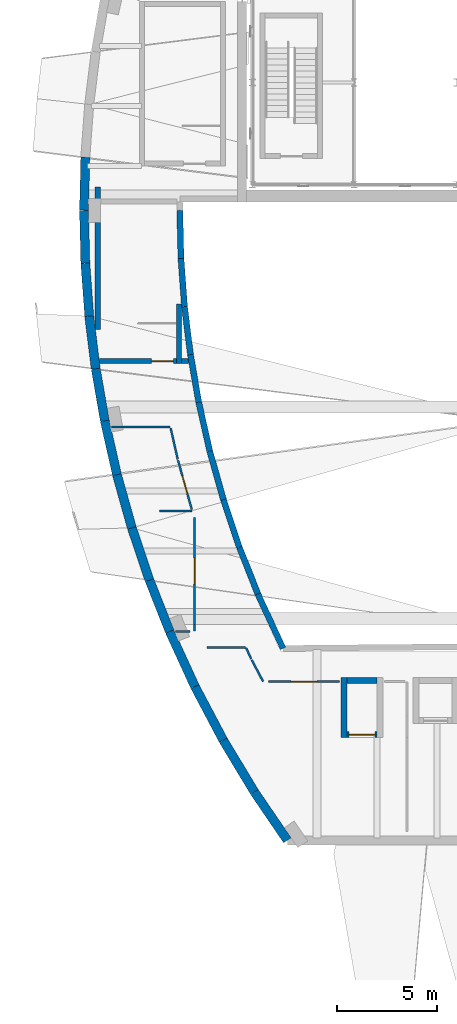
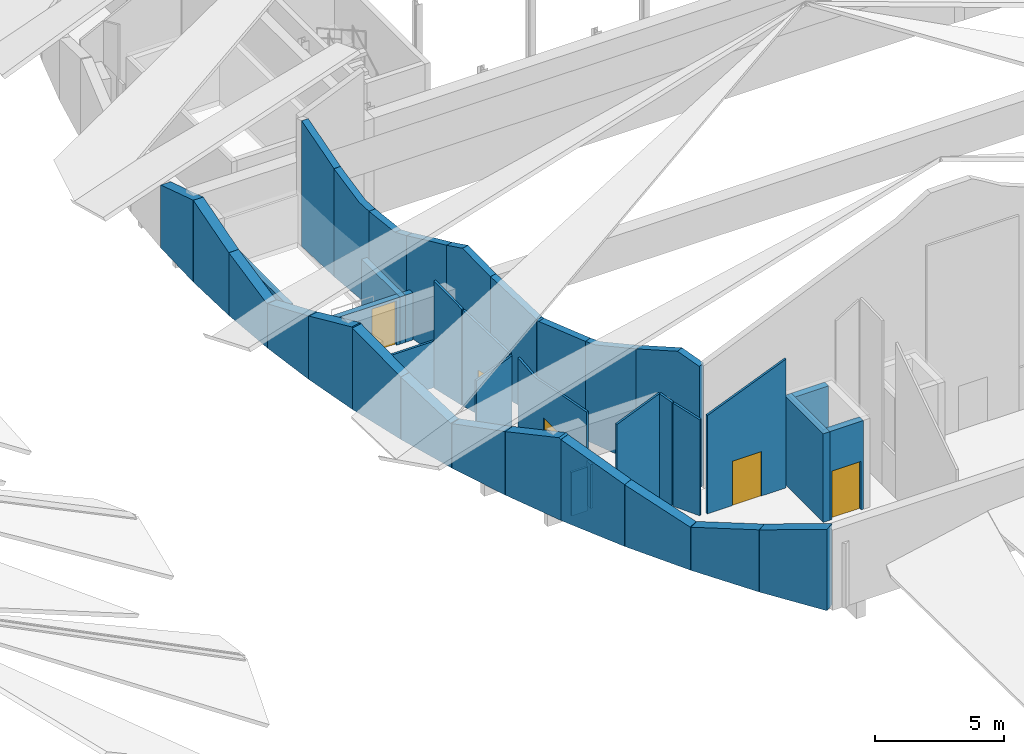
# One storey, part 11 of 17: 39 walls, 5 doors, 5 openings.
"""IFC4 building model written with IfcOpenShell, lengths in metres."""

from ifc_helpers import new_model, si_unit, direction, frame, frame_2d, origin, place, context, subcontext, project, spatial, polyline, rectangle, outline, extrude, material, layer, layer_set, type_object, element, fill, save


model = new_model("IFC4")

# Units and contexts
model_context = context("Model", 3, precision=1e-05, world=origin(), true_north=direction((0.0, 1.0)))
body_context = subcontext(model_context, "Body", "Model", "MODEL_VIEW")
ifc_project = project(units=[si_unit("LENGTHUNIT", "METRE"), si_unit("AREAUNIT", "SQUARE_METRE"), si_unit("VOLUMEUNIT", "CUBIC_METRE"), si_unit("PLANEANGLEUNIT", "RADIAN"), si_unit("MASSUNIT", "GRAM", prefix="KILO")], contexts=[model_context])

# Site, building, storey
site_placement = place(None, origin())
site = spatial("IfcSite", under=ifc_project, at=site_placement, CompositionType="ELEMENT")
building_placement = place(site_placement, origin())
building = spatial("IfcBuilding", under=site, at=building_placement, Name="Tide Square Theatres", CompositionType="ELEMENT")
storey_placement = place(building_placement, frame((0.0, 0.0, 14.800048828125)))
storey = spatial("IfcBuildingStorey", under=building, at=storey_placement, Name="L03", CompositionType="ELEMENT", Elevation=14.800048828125)

# Walls
ifc_material_1 = material(Name="Gypsum board on steel studs", Category="steel")
ifc_layer_1 = layer(ifc_material_1, 0.10009765625)
ifc_layer_set_1 = layer_set([ifc_layer_1], Name="Gypsum board on steel studs")
wall_type_1 = type_object("IfcWallType", Name="Partition 100 thick", PredefinedType="PARTITIONING", material=ifc_layer_set_1)
wall_1_placement = place(storey_placement, frame((64.263427734375, 44.199951171875, 0.0), z_axis=(0.0, 0.0, 1.0), x_axis=(1.0, 0.0, 0.0)))
element("IfcWall", 1, at=wall_1_placement, inside=storey, type_object=wall_type_1, Name="Partition", PredefinedType="PARTITIONING", context=body_context, shape_type="SweptSolid", body=[
    extrude(rectangle(XDim=2.9140625, YDim=0.10009765625, at=frame_2d((1.45703125, 0.0))), origin(), (0.0, 0.0, 1.0), 2.200927734375),
])
wall_2_placement = place(storey_placement, frame((66.665283203125, 40.0, 0.0), z_axis=(0.0, 0.0, 1.0), x_axis=(1.0, 0.0, 0.0)))
element("IfcWall", 2, at=wall_2_placement, inside=storey, type_object=wall_type_1, Name="Partition", PredefinedType="PARTITIONING", context=body_context, shape_type="SweptSolid", body=[
    extrude(outline(polyline([(0.0, 0.0), (1.597412109375, 0.0), (1.596923828125, 3.68798828125), (1.3310546875, 3.570068359375), (1.06494140625, 3.4638671875), (0.799072265625, 3.35888671875), (0.531982421875, 3.25390625), (0.26611328125, 3.14892578125), (0.0, 3.0439453125), (0.0, 0.0)])), frame((0.0, 0.050048828125, 0.0), z_axis=(0.0, -1.0, 0.0), x_axis=(1.0, 0.0, 0.0)), (0.0, 0.0, 1.0), 0.10009765625),
])
wall_3_placement = place(storey_placement, frame((67.211181640625, 44.135498046875, 0.0), z_axis=(0.0, 0.0, 1.0), x_axis=(0.220298435911, -0.975432519006, 0.0)))
element("IfcWall", 3, at=wall_3_placement, inside=storey, type_object=wall_type_1, Name="Partition", PredefinedType="PARTITIONING", context=body_context, shape_type="SweptSolid", body=[
    extrude(outline(polyline([(0.0, 0.0), (1.595947265625, 0.0), (1.595947265625, 4.552978515625), (1.330078125, 4.639892578125), (1.06396484375, 4.72705078125), (0.798095703125, 4.81396484375), (0.531982421875, 4.90087890625), (0.26611328125, 4.988037109375), (0.0, 5.074951171875), (0.0, 0.0)])), frame((0.0, 0.050048828125, 0.0), z_axis=(0.0, -1.0, 0.0), x_axis=(1.0, 0.0, 0.0)), (0.0, 0.0, 1.0), 0.10009765625),
])

# Wall, opening, door
wall_4_placement = place(storey_placement, frame((67.576416015625, 42.530029296875, 0.0), z_axis=(0.0, 0.0, 1.0), x_axis=(0.270011132324, -0.962857200431, 0.0)))
wall_4 = element("IfcWall", 4, at=wall_4_placement, inside=storey, type_object=wall_type_1, Name="Partition", PredefinedType="PARTITIONING", context=body_context, shape_type="SweptSolid", body=[
    extrude(outline(polyline([(0.0, 0.0), (2.541748046875, 0.0), (2.5419921875, 3.7119140625), (2.2880859375, 3.794921875), (2.032958984375, 3.8779296875), (1.779052734375, 3.9609375), (1.52490234375, 4.044921875), (1.27099609375, 4.1279296875), (1.01708984375, 4.2109375), (0.762939453125, 4.2939453125), (0.508056640625, 4.376953125), (0.25390625, 4.4609375), (0.0, 4.536865234375), (0.0, 0.0)])), frame((0.0, 0.050048828125, 0.0), z_axis=(0.0, -1.0, 0.0), x_axis=(1.0, 0.0, 0.0)), (0.0, 0.0, 1.0), 0.10009765625),
])
opening_1_placement = place(wall_4_placement, frame((0.82080078125, 0.0, 0.0)))
opening_1 = element("IfcOpeningElement", 5, at=opening_1_placement, cuts=wall_4, Name="Opening M03-10", PredefinedType="OPENING", context=body_context, shape_type="SweptSolid", body=[
    extrude(rectangle(XDim=0.89990234375, YDim=2.10009765625, at=frame_2d((0.449951171875, 1.050048828125))), frame((0.0, 0.06005859375, 0.0), z_axis=(0.0, -1.0, 0.0), x_axis=(1.0, 0.0, 0.0)), (0.0, 0.0, 1.0), 0.1201171875),
])
ifc_material_2 = material(Name="Hardwood timber", Category="wood")
door_type_1 = type_object("IfcDoorType", Name="Door 900 x 2100 single leaf", OperationType="NOTDEFINED", PredefinedType="DOOR", material=ifc_material_2)
door_1_placement = place(opening_1_placement, frame((0.89990234375, 0.0, 0.0), z_axis=(0.0, 0.0, 1.0), x_axis=(-1.0, 0.0, 0.0)))
door_1 = element("IfcDoor", 6, at=door_1_placement, inside=storey, type_object=door_type_1, Name="Sound Store door", OperationType="SINGLE_SWING_LEFT", OverallHeight=2.10009765625, OverallWidth=0.89990234375, PredefinedType="DOOR", context=body_context, shape_type="SweptSolid", body=[
    extrude(rectangle(XDim=0.89990234375, YDim=2.10009765625, at=frame_2d((0.449951171875, 1.050048828125))), frame((0.0, 0.02490234375, 0.0), z_axis=(0.0, -1.0, 0.0), x_axis=(1.0, 0.0, 0.0)), (0.0, 0.0, 1.0), 0.050048828125),
])
fill(opening_1, door_1)

# Wall
wall_5_placement = place(storey_placement, frame((68.1787109375, 34.0, 0.0), z_axis=(0.0, 0.0, 1.0), x_axis=(-1.0, 0.0, 0.0)))
element("IfcWall", 7, at=wall_5_placement, inside=storey, type_object=wall_type_1, Name="Partition", PredefinedType="PARTITIONING", context=body_context, shape_type="SweptSolid", body=[
    extrude(rectangle(XDim=0.7314453125, YDim=0.10009765625, at=frame_2d((0.36572265625, 0.0))), origin(), (0.0, 0.0, 1.0), 2.074951171875),
])

# Wall, opening, door
wall_6_placement = place(storey_placement, frame((68.39990234375, 39.667724609375, 0.0), z_axis=(0.0, 0.0, 1.0), x_axis=(0.0, -1.0, 0.0)))
wall_6 = element("IfcWall", 8, at=wall_6_placement, inside=storey, type_object=wall_type_1, Name="Partition", PredefinedType="PARTITIONING", context=body_context, shape_type="SweptSolid", body=[
    extrude(outline(polyline([(0.0, 0.0), (5.324462890625, 0.0), (5.324951171875, 4.37890625), (5.071044921875, 4.33203125), (4.81689453125, 4.283935546875), (4.56396484375, 4.237060546875), (4.31005859375, 4.18896484375), (4.056884765625, 4.141845703125), (3.802978515625, 4.093994140625), (3.550048828125, 4.046875), (3.2958984375, 3.995849609375), (3.04296875, 3.94384765625), (2.7890625, 3.890869140625), (2.535888671875, 3.8388671875), (2.281982421875, 3.786865234375), (2.028076171875, 3.73486328125), (1.77490234375, 3.682861328125), (1.52099609375, 3.6298828125), (1.26806640625, 3.60498046875), (1.013916015625, 3.62890625), (0.760986328125, 3.65283203125), (0.507080078125, 3.677001953125), (0.25390625, 3.700927734375), (0.0, 3.724853515625), (0.0, 0.0)])), frame((0.0, 0.050048828125, 0.0), z_axis=(0.0, -1.0, 0.0), x_axis=(1.0, 0.0, 0.0)), (0.0, 0.0, 1.0), 0.10009765625),
])
opening_2_placement = place(wall_6_placement, frame((2.01220703125, 0.0, 0.0)))
opening_2 = element("IfcOpeningElement", 9, at=opening_2_placement, cuts=wall_6, Name="Opening M03-08", PredefinedType="OPENING", context=body_context, shape_type="SweptSolid", body=[
    extrude(rectangle(XDim=1.300048828125, YDim=2.10009765625, at=frame_2d((0.64990234375, 1.050048828125))), frame((0.0, 0.06005859375, 0.0), z_axis=(0.0, -1.0, 0.0), x_axis=(1.0, 0.0, 0.0)), (0.0, 0.0, 1.0), 0.1201171875),
])
ifc_material_3 = material(Name="Hardwood timber", Category="wood")
door_type_2 = type_object("IfcDoorType", Name="Door 1300 x 2100 double leaf", OperationType="DOUBLE_DOOR_SINGLE_SWING", PredefinedType="DOOR", material=ifc_material_3)
door_2_placement = place(opening_2_placement, origin())
door_2 = element("IfcDoor", 10, at=door_2_placement, inside=storey, type_object=door_type_2, Name="Lighting Store door", OperationType="DOUBLE_DOOR_SINGLE_SWING", OverallHeight=2.10009765625, OverallWidth=1.300048828125, PredefinedType="DOOR", context=body_context, shape_type="SweptSolid", body=[
    extrude(rectangle(XDim=1.300048828125, YDim=2.10009765625, at=frame_2d((0.64990234375, 1.050048828125))), frame((0.0, 0.02490234375, 0.0), z_axis=(0.0, -1.0, 0.0), x_axis=(1.0, 0.0, 0.0)), (0.0, 0.0, 1.0), 0.050048828125),
])
fill(opening_2, door_2)

# Walls
wall_7_placement = place(storey_placement, frame((68.39990234375, 34.34326171875, 0.0), z_axis=(0.0, 0.0, 1.0), x_axis=(0.0, -1.0, 0.0)))
element("IfcWall", 11, at=wall_7_placement, inside=storey, type_object=wall_type_1, Name="Partition", PredefinedType="PARTITIONING", context=body_context, shape_type="SweptSolid", body=[
    extrude(rectangle(XDim=0.320068359375, YDim=0.10009765625, at=frame_2d((0.16015625, 0.0))), origin(), (0.0, 0.0, 1.0), 2.074951171875),
])
wall_8_placement = place(storey_placement, frame((69.023193359375, 33.199951171875, 0.0), z_axis=(0.0, 0.0, 1.0), x_axis=(1.0, 0.0, 0.0)))
element("IfcWall", 12, at=wall_8_placement, inside=storey, type_object=wall_type_1, Name="Partition", PredefinedType="PARTITIONING", context=body_context, shape_type="SweptSolid", body=[
    extrude(outline(polyline([(0.0, 0.0), (1.924072265625, 0.0), (1.924072265625, 5.072998046875), (1.64892578125, 4.958984375), (1.3740234375, 4.843994140625), (1.10009765625, 4.72998046875), (0.824951171875, 4.615966796875), (0.550048828125, 4.5009765625), (0.27490234375, 4.386962890625), (0.0, 4.27294921875), (0.0, 0.0)])), frame((0.0, 0.050048828125, 0.0), z_axis=(0.0, -1.0, 0.0), x_axis=(1.0, 0.0, 0.0)), (0.0, 0.0, 1.0), 0.10009765625),
])
wall_9_placement = place(storey_placement, frame((70.97412109375, 33.176513671875, 0.0), z_axis=(0.0, 0.0, 1.0), x_axis=(0.416055955945, -0.909339013527, 0.0)))
element("IfcWall", 13, at=wall_9_placement, inside=storey, type_object=wall_type_1, Name="Partition", PredefinedType="PARTITIONING", context=body_context, shape_type="SweptSolid", body=[
    extrude(outline(polyline([(0.0, 0.0), (0.603759765625, 0.0), (0.614013671875, 4.891845703125), (0.306884765625, 4.98388671875), (0.0, 5.074951171875), (0.0, 0.0)])), frame((0.0, 0.050048828125, 0.0), z_axis=(0.0, -1.0, 0.0), x_axis=(1.0, 0.0, 0.0)), (0.0, 0.0, 1.0), 0.10009765625),
])
wall_10_placement = place(storey_placement, frame((71.248779296875, 32.582763671875, 0.0), z_axis=(0.0, 0.0, 1.0), x_axis=(0.466970962101, -0.884272650575, 0.0)))
element("IfcWall", 14, at=wall_10_placement, inside=storey, type_object=wall_type_1, Name="Partition", PredefinedType="PARTITIONING", context=body_context, shape_type="SweptSolid", body=[
    extrude(outline(polyline([(0.0, 0.0), (1.223876953125, 0.0), (1.22412109375, 4.541015625), (0.91796875, 4.6318359375), (0.612060546875, 4.717041015625), (0.305908203125, 4.7978515625), (0.0, 4.87890625), (0.0, 0.0)])), frame((0.0, 0.050048828125, 0.0), z_axis=(0.0, -1.0, 0.0), x_axis=(1.0, 0.0, 0.0)), (0.0, 0.0, 1.0), 0.10009765625),
])

# Wall, opening, door
wall_11_placement = place(storey_placement, frame((72.098388671875, 31.5, 0.0), z_axis=(0.0, 0.0, 1.0), x_axis=(1.0, 0.0, 0.0)))
wall_11 = element("IfcWall", 15, at=wall_11_placement, inside=storey, type_object=wall_type_1, Name="Partition", PredefinedType="PARTITIONING", context=body_context, shape_type="SweptSolid", body=[
    extrude(outline(polyline([(0.0, 0.0), (3.531494140625, 0.0), (3.531005859375, 6.10205078125), (3.279052734375, 5.9990234375), (3.027099609375, 5.89501953125), (2.77490234375, 5.7919921875), (2.52197265625, 5.68896484375), (2.27001953125, 5.5849609375), (2.01806640625, 5.48193359375), (1.76611328125, 5.3779296875), (1.512939453125, 5.27490234375), (1.260986328125, 5.171875), (1.009033203125, 5.06787109375), (0.757080078125, 4.96484375), (0.50390625, 4.862060546875), (0.251953125, 4.758056640625), (0.0, 4.655029296875), (0.0, 0.0)])), frame((0.0, 0.050048828125, 0.0), z_axis=(0.0, -1.0, 0.0), x_axis=(1.0, 0.0, 0.0)), (0.0, 0.0, 1.0), 0.10009765625),
])
opening_3_placement = place(wall_11_placement, frame((1.11572265625, 0.0, 0.0)))
opening_3 = element("IfcOpeningElement", 16, at=opening_3_placement, cuts=wall_11, Name="Opening M03-06", PredefinedType="OPENING", context=body_context, shape_type="SweptSolid", body=[
    extrude(rectangle(XDim=1.300048828125, YDim=2.10009765625, at=frame_2d((0.64990234375, 1.050048828125))), frame((0.0, 0.06005859375, 0.0), z_axis=(0.0, -1.0, 0.0), x_axis=(1.0, 0.0, 0.0)), (0.0, 0.0, 1.0), 0.1201171875),
])
door_3_placement = place(opening_3_placement, origin())
door_3 = element("IfcDoor", 17, at=door_3_placement, inside=storey, type_object=door_type_2, Name="Air Handling Plant Room 01 door", OperationType="DOUBLE_DOOR_SINGLE_SWING", OverallHeight=2.10009765625, OverallWidth=1.300048828125, PredefinedType="DOOR", context=body_context, shape_type="SweptSolid", body=[
    extrude(rectangle(XDim=1.300048828125, YDim=2.10009765625, at=frame_2d((0.64990234375, 1.050048828125))), frame((0.0, 0.02490234375, 0.0), z_axis=(0.0, -1.0, 0.0), x_axis=(1.0, 0.0, 0.0)), (0.0, 0.0, 1.0), 0.050048828125),
])
fill(opening_3, door_3)

# Walls
ifc_material_4 = material(Name="Concrete C40", Category="concrete")
ifc_layer_2 = layer(ifc_material_4, 0.449951171875)
ifc_layer_set_2 = layer_set([ifc_layer_2], Name="Concrete C40")
wall_type_2 = type_object("IfcWallType", Name="RC curved wall 450 thick", PredefinedType="SOLIDWALL", material=ifc_layer_set_2)
wall_12_placement = place(storey_placement, frame((62.955078125, 57.641845703125, 0.0), z_axis=(0.0, 0.0, 1.0), x_axis=(-0.024666736886, -0.999695729756, 0.0)))
element("IfcWall", 18, at=wall_12_placement, inside=storey, type_object=wall_type_2, Name="Main Theatre perimeter wall", PredefinedType="SOLIDWALL", context=body_context, shape_type="SweptSolid", body=[
    extrude(outline(polyline([(0.0, 0.0), (2.642578125, 0.0), (2.642578125, 3.87353515625), (2.572509765625, 3.849853515625), (0.0, 2.9736328125), (0.0, 0.0)])), frame((0.0, 0.22509765625, 0.0), z_axis=(0.0, -1.0, 0.0), x_axis=(1.0, 0.0, 0.0)), (0.0, 0.0, 1.0), 0.449951171875),
])
wall_13_placement = place(storey_placement, frame((62.889892578125, 55.0, 0.0), z_axis=(0.0, 0.0, 1.0), x_axis=(0.024666736886, -0.999695729756, 0.0)))
element("IfcWall", 19, at=wall_13_placement, inside=storey, type_object=wall_type_2, Name="Main Theatre perimeter wall", PredefinedType="SOLIDWALL", context=body_context, shape_type="SweptSolid", body=[
    extrude(outline(polyline([(0.0, 0.0), (2.642578125, 0.0), (2.642578125, 2.9736328125), (2.6201171875, 2.9814453125), (0.05908203125, 3.853515625), (0.0, 3.87353515625), (0.0, 0.0)])), frame((0.0, 0.22509765625, 0.0), z_axis=(0.0, -1.0, 0.0), x_axis=(1.0, 0.0, 0.0)), (0.0, 0.0, 1.0), 0.449951171875),
])
wall_14_placement = place(storey_placement, frame((62.955078125, 52.358154296875, 0.0), z_axis=(0.0, 0.0, 1.0), x_axis=(0.07363685767, -0.997285121313, 0.0)))
element("IfcWall", 20, at=wall_14_placement, inside=storey, type_object=wall_type_2, Name="Main Theatre perimeter wall", PredefinedType="SOLIDWALL", context=body_context, shape_type="SweptSolid", body=[
    extrude(outline(polyline([(0.0, 0.0), (2.642333984375, 0.0), (2.642578125, 2.0927734375), (2.60302734375, 2.08251953125), (0.0, 2.969970703125), (0.0, 0.0)])), frame((0.0, 0.22509765625, 0.0), z_axis=(0.0, -1.0, 0.0), x_axis=(1.0, 0.0, 0.0)), (0.0, 0.0, 1.0), 0.449951171875),
])
wall_15_placement = place(storey_placement, frame((63.149658203125, 49.722900390625, 0.0), z_axis=(0.0, 0.0, 1.0), x_axis=(0.122499610212, -0.992468561466, 0.0)))
element("IfcWall", 21, at=wall_15_placement, inside=storey, type_object=wall_type_2, Name="Main Theatre perimeter wall", PredefinedType="SOLIDWALL", context=body_context, shape_type="SweptSolid", body=[
    extrude(outline(polyline([(0.0, 0.0), (2.642822265625, 0.0), (2.642578125, 2.996337890625), (2.58544921875, 2.977783203125), (0.0869140625, 2.126220703125), (0.0, 2.096435546875), (0.0, 0.0)])), frame((0.0, 0.22509765625, 0.0), z_axis=(0.0, -1.0, 0.0), x_axis=(1.0, 0.0, 0.0)), (0.0, 0.0, 1.0), 0.449951171875),
])
wall_16_placement = place(storey_placement, frame((63.473388671875, 47.10009765625, 0.0), z_axis=(0.0, 0.0, 1.0), x_axis=(0.171196910379, -0.985236833394, 0.0)))
element("IfcWall", 22, at=wall_16_placement, inside=storey, type_object=wall_type_2, Name="Main Theatre perimeter wall", PredefinedType="SOLIDWALL", context=body_context, shape_type="SweptSolid", body=[
    extrude(outline(polyline([(0.0, 0.0), (2.642578125, 0.0), (2.642578125, 3.86376953125), (2.603271484375, 3.886474609375), (2.525146484375, 3.85986328125), (0.069091796875, 3.0234375), (0.0, 3.0), (0.0, 0.0)])), frame((0.0, 0.22509765625, 0.0), z_axis=(0.0, -1.0, 0.0), x_axis=(1.0, 0.0, 0.0)), (0.0, 0.0, 1.0), 0.449951171875),
])
wall_17_placement = place(storey_placement, frame((63.92578125, 44.49658203125, 0.0), z_axis=(0.0, 0.0, 1.0), x_axis=(0.220347996563, -0.975421324562, 0.0)))
element("IfcWall", 23, at=wall_17_placement, inside=storey, type_object=wall_type_2, Name="Main Theatre perimeter wall", PredefinedType="SOLIDWALL", context=body_context, shape_type="SweptSolid", body=[
    extrude(outline(polyline([(0.0, 0.0), (2.752197265625, 0.0), (2.75244140625, 2.957763671875), (2.733154296875, 2.96435546875), (0.1298828125, 3.8173828125), (0.0791015625, 3.833984375), (0.0, 3.85986328125), (0.0, 0.0)])), frame((0.0, 0.22509765625, 0.0), z_axis=(0.0, -1.0, 0.0), x_axis=(1.0, 0.0, 0.0)), (0.0, 0.0, 1.0), 0.449951171875),
])
wall_18_placement = place(storey_placement, frame((64.5322265625, 41.81201171875, 0.0), z_axis=(0.0, 0.0, 1.0), x_axis=(0.270008269196, -0.962858003324, 0.0)))
element("IfcWall", 24, at=wall_18_placement, inside=storey, type_object=wall_type_2, Name="Main Theatre perimeter wall", PredefinedType="SOLIDWALL", context=body_context, shape_type="SweptSolid", body=[
    extrude(outline(polyline([(0.0, 0.0), (2.75244140625, 0.0), (2.752197265625, 2.1025390625), (2.69580078125, 2.085205078125), (0.0, 2.953857421875), (0.0, 0.0)])), frame((0.0, 0.22509765625, 0.0), z_axis=(0.0, -1.0, 0.0), x_axis=(1.0, 0.0, 0.0)), (0.0, 0.0, 1.0), 0.449951171875),
])
wall_19_placement = place(storey_placement, frame((65.275390625, 39.161865234375, 0.0), z_axis=(0.0, 0.0, 1.0), x_axis=(0.318887614688, -0.947792534893, 0.0)))
element("IfcWall", 25, at=wall_19_placement, inside=storey, type_object=wall_type_2, Name="Main Theatre perimeter wall", PredefinedType="SOLIDWALL", context=body_context, shape_type="SweptSolid", body=[
    extrude(outline(polyline([(0.0, 0.0), (2.75244140625, 0.0), (2.752197265625, 3.0048828125), (2.638916015625, 2.96923828125), (0.15185546875, 2.156005859375), (0.0, 2.106201171875), (0.0, 0.0)])), frame((0.0, 0.22509765625, 0.0), z_axis=(0.0, -1.0, 0.0), x_axis=(1.0, 0.0, 0.0)), (0.0, 0.0, 1.0), 0.449951171875),
])
wall_20_placement = place(storey_placement, frame((66.153076171875, 36.55322265625, 0.0), z_axis=(0.0, 0.0, 1.0), x_axis=(0.366920100653, -0.930252460215, 0.0)))
element("IfcWall", 26, at=wall_20_placement, inside=storey, type_object=wall_type_2, Name="Main Theatre perimeter wall", PredefinedType="SOLIDWALL", context=body_context, shape_type="SweptSolid", body=[
    extrude(outline(polyline([(0.0, 0.0), (2.751953125, 0.0), (2.751953125, 3.829833984375), (2.654541015625, 3.876708984375), (2.56591796875, 3.84765625), (0.12841796875, 3.050537109375), (0.0, 3.008544921875), (0.0, 0.0)])), frame((0.0, 0.22509765625, 0.0), z_axis=(0.0, -1.0, 0.0), x_axis=(1.0, 0.0, 0.0)), (0.0, 0.0, 1.0), 0.449951171875),
])
wall_21_placement = place(storey_placement, frame((67.162841796875, 33.9931640625, 0.0), z_axis=(0.0, 0.0, 1.0), x_axis=(0.416407051835, -0.909178292296, 0.0)))
element("IfcWall", 27, at=wall_21_placement, inside=storey, type_object=wall_type_2, Name="Main Theatre perimeter wall", PredefinedType="SOLIDWALL", context=body_context, shape_type="SweptSolid", body=[
    extrude(outline(polyline([(0.0, 0.0), (3.021240234375, 0.0), (3.021240234375, 2.92138671875), (2.962646484375, 2.943603515625), (0.20263671875, 3.765869140625), (0.099609375, 3.79638671875), (0.0, 3.826171875), (0.0, 0.0)])), frame((0.0, 0.22509765625, 0.0), z_axis=(0.0, -1.0, 0.0), x_axis=(1.0, 0.0, 0.0)), (0.0, 0.0, 1.0), 0.449951171875),
])
wall_22_placement = place(storey_placement, frame((68.4208984375, 31.246337890625, 0.0), z_axis=(0.0, 0.0, 1.0), x_axis=(0.466728769487, -0.884400506407, 0.0)))
element("IfcWall", 28, at=wall_22_placement, inside=storey, type_object=wall_type_2, Name="Main Theatre perimeter wall", PredefinedType="SOLIDWALL", context=body_context, shape_type="SweptSolid", body=[
    extrude(outline(polyline([(0.0, 0.0), (3.020751953125, 0.0), (3.02099609375, 2.041015625), (2.993896484375, 2.03369140625), (0.072265625, 2.89599609375), (0.0, 2.91748046875), (0.0, 0.0)])), frame((0.0, 0.22509765625, 0.0), z_axis=(0.0, -1.0, 0.0), x_axis=(1.0, 0.0, 0.0)), (0.0, 0.0, 1.0), 0.449951171875),
])
wall_23_placement = place(storey_placement, frame((69.830810546875, 28.57470703125, 0.0), z_axis=(0.0, 0.0, 1.0), x_axis=(0.515636119523, -0.856807675177, 0.0)))
element("IfcWall", 29, at=wall_23_placement, inside=storey, type_object=wall_type_2, Name="Main Theatre perimeter wall", PredefinedType="SOLIDWALL", context=body_context, shape_type="SweptSolid", body=[
    extrude(outline(polyline([(0.0, 0.0), (3.021240234375, 0.0), (3.02099609375, 2.944580078125), (0.0, 2.044677734375), (0.0, 0.0)])), frame((0.0, 0.22509765625, 0.0), z_axis=(0.0, -1.0, 0.0), x_axis=(1.0, 0.0, 0.0)), (0.0, 0.0, 1.0), 0.449951171875),
])
wall_24_placement = place(storey_placement, frame((71.388671875, 25.986083984375, 0.0), z_axis=(0.0, 0.0, 1.0), x_axis=(0.5629642644, -0.826481238147, 0.0)))
element("IfcWall", 30, at=wall_24_placement, inside=storey, type_object=wall_type_2, Name="Main Theatre perimeter wall", PredefinedType="SOLIDWALL", context=body_context, shape_type="SweptSolid", body=[
    extrude(outline(polyline([(0.0, 0.0), (2.908203125, 0.0), (2.908203125, 3.849365234375), (2.858642578125, 3.833984375), (2.78564453125, 3.811279296875), (0.0, 2.949462890625), (0.0, 0.0)])), frame((0.0, 0.22509765625, 0.0), z_axis=(0.0, -1.0, 0.0), x_axis=(1.0, 0.0, 0.0)), (0.0, 0.0, 1.0), 0.449951171875),
])
ifc_material_5 = material(Name="Concrete C40", Category="concrete")
ifc_layer_3 = layer(ifc_material_5, 0.25)
ifc_layer_set_3 = layer_set([ifc_layer_3], Name="Concrete C40")
wall_type_3 = type_object("IfcWallType", Name="RC shear wall 250 thick", PredefinedType="SHEAR", material=ifc_layer_set_3)
wall_25_placement = place(storey_placement, frame((67.625, 47.35009765625, 0.0), z_axis=(0.0, 0.0, 1.0), x_axis=(0.0, 1.0, 0.0)))
element("IfcWall", 31, at=wall_25_placement, inside=storey, type_object=wall_type_3, Name="Main Theatre West Circle Stair shaft wall", PredefinedType="SHEAR", context=body_context, shape_type="SweptSolid", body=[
    extrude(rectangle(XDim=2.968017578125, YDim=0.25, at=frame_2d((1.48388671875, 0.0))), origin(), (0.0, 0.0, 1.0), 2.23193359375),
])
wall_26_placement = place(storey_placement, frame((63.574951171875, 56.14990234375, 0.0), z_axis=(0.0, 0.0, 1.0), x_axis=(0.0, -1.0, 0.0)))
element("IfcWall", 32, at=wall_26_placement, inside=storey, type_object=wall_type_3, Name="Main Theatre West Circle Stair shaft wall", PredefinedType="SHEAR", context=body_context, shape_type="SweptSolid", body=[
    extrude(rectangle(XDim=7.089111328125, YDim=0.25, at=frame_2d((3.54443359375, 0.0))), origin(), (0.0, 0.0, 1.0), 2.23193359375),
])

# Wall, opening, door
wall_27_placement = place(storey_placement, frame((68.10009765625, 47.47509765625, 0.0), z_axis=(0.0, 0.0, 1.0), x_axis=(-1.0, 0.0, 0.0)))
wall_27 = element("IfcWall", 33, at=wall_27_placement, inside=storey, type_object=wall_type_3, Name="Main Theatre West Circle Stair shaft wall", PredefinedType="SHEAR", context=body_context, shape_type="SweptSolid", body=[
    extrude(rectangle(XDim=4.43017578125, YDim=0.25, at=frame_2d((2.215087890625, 0.0))), origin(), (0.0, 0.0, 1.0), 2.23193359375),
])
opening_4_placement = place(wall_27_placement, frame((0.75, 0.0, 0.0)))
opening_4 = element("IfcOpeningElement", 34, at=opening_4_placement, cuts=wall_27, Name="Opening M03-03", PredefinedType="OPENING", context=body_context, shape_type="SweptSolid", body=[
    extrude(rectangle(XDim=1.10009765625, YDim=2.10009765625, at=frame_2d((0.550048828125, 1.050048828125))), frame((0.0, 0.135009765625, 0.0), z_axis=(0.0, -1.0, 0.0), x_axis=(1.0, 0.0, 0.0)), (0.0, 0.0, 1.0), 0.27001953125),
])
ifc_material_6 = material(Name="Painted steel", Category="steel")
door_type_3 = type_object("IfcDoorType", Name="Door 1100 x 2100 single leaf", OperationType="NOTDEFINED", PredefinedType="DOOR", material=ifc_material_6)
door_4_placement = place(opening_4_placement, origin())
door_4 = element("IfcDoor", 35, at=door_4_placement, inside=storey, type_object=door_type_3, Name="Main Theatre West Circle Stair stair door", OperationType="SINGLE_SWING_RIGHT", OverallHeight=2.10009765625, OverallWidth=1.10009765625, PredefinedType="DOOR", context=body_context, shape_type="SweptSolid", body=[
    extrude(rectangle(XDim=1.10009765625, YDim=2.10009765625, at=frame_2d((0.550048828125, 1.050048828125))), frame((0.0, 0.02490234375, 0.0), z_axis=(0.0, -1.0, 0.0), x_axis=(1.0, 0.0, 0.0)), (0.0, 0.0, 1.0), 0.050048828125),
])
fill(opening_4, door_4)

# Walls
ifc_material_7 = material(Name="Concrete C40", Category="concrete")
ifc_layer_4 = layer(ifc_material_7, 0.300048828125)
ifc_layer_set_4 = layer_set([ifc_layer_4], Name="Concrete C40")
wall_type_4 = type_object("IfcWallType", Name="RC shear wall 300 thick", PredefinedType="SHEAR", material=ifc_layer_set_4)
wall_28_placement = place(storey_placement, frame((67.66650390625, 55.0, 0.0), z_axis=(0.0, 0.0, 1.0), x_axis=(0.024536221488, -0.999698941599, 0.0)))
element("IfcWall", 36, at=wall_28_placement, inside=storey, type_object=wall_type_4, Name="Main Theatre auditorium wall", PredefinedType="SHEAR", context=body_context, shape_type="SweptSolid", body=[
    extrude(outline(polyline([(0.0, 0.0), (2.407958984375, 0.0), (2.407958984375, 5.11376953125), (2.029541015625, 5.25146484375), (0.060791015625, 5.921875), (0.0, 5.942626953125), (0.0, 0.0)])), frame((0.0, 0.14990234375, 0.0), z_axis=(0.0, -1.0, 0.0), x_axis=(1.0, 0.0, 0.0)), (0.0, 0.0, 1.0), 0.300048828125),
])
wall_29_placement = place(storey_placement, frame((67.7255859375, 52.5927734375, 0.0), z_axis=(0.0, 0.0, 1.0), x_axis=(0.073711091533, -0.997279637306, 0.0)))
element("IfcWall", 37, at=wall_29_placement, inside=storey, type_object=wall_type_4, Name="Main Theatre auditorium wall", PredefinedType="SHEAR", context=body_context, shape_type="SweptSolid", body=[
    extrude(outline(polyline([(0.0, 0.0), (2.407958984375, 0.0), (2.407958984375, 4.49365234375), (1.71142578125, 4.528564453125), (1.65869140625, 4.54638671875), (0.0, 5.111328125), (0.0, 0.0)])), frame((0.0, 0.14990234375, 0.0), z_axis=(0.0, -1.0, 0.0), x_axis=(1.0, 0.0, 0.0)), (0.0, 0.0, 1.0), 0.300048828125),
])
wall_30_placement = place(storey_placement, frame((67.903076171875, 50.19140625, 0.0), z_axis=(0.0, 0.0, 1.0), x_axis=(0.122487115362, -0.992470103615, 0.0)))
element("IfcWall", 38, at=wall_30_placement, inside=storey, type_object=wall_type_4, Name="Main Theatre auditorium wall", PredefinedType="SHEAR", context=body_context, shape_type="SweptSolid", body=[
    extrude(outline(polyline([(0.0, 0.0), (2.40771484375, 0.0), (2.407958984375, 4.689453125), (1.7841796875, 4.47705078125), (1.726318359375, 4.45751953125), (1.668212890625, 4.436767578125), (0.0, 4.4931640625), (0.0, 0.0)])), frame((0.0, 0.14990234375, 0.0), z_axis=(0.0, -1.0, 0.0), x_axis=(1.0, 0.0, 0.0)), (0.0, 0.0, 1.0), 0.300048828125),
])
wall_31_placement = place(storey_placement, frame((68.197998046875, 47.8017578125, 0.0), z_axis=(0.0, 0.0, 1.0), x_axis=(0.171225522804, -0.985231861209, 0.0)))
element("IfcWall", 39, at=wall_31_placement, inside=storey, type_object=wall_type_4, Name="Main Theatre auditorium wall", PredefinedType="SHEAR", context=body_context, shape_type="SweptSolid", body=[
    extrude(outline(polyline([(0.0, 0.0), (2.405517578125, 0.0), (2.4052734375, 5.534423828125), (1.396240234375, 5.19091796875), (1.30419921875, 5.159423828125), (0.0, 4.692138671875), (0.0, 0.0)])), frame((0.0, 0.14990234375, 0.0), z_axis=(0.0, -1.0, 0.0), x_axis=(1.0, 0.0, 0.0)), (0.0, 0.0, 1.0), 0.300048828125),
])
wall_32_placement = place(storey_placement, frame((68.60986328125, 45.431884765625, 0.0), z_axis=(0.0, 0.0, 1.0), x_axis=(0.220389232345, -0.975412008469, 0.0)))
element("IfcWall", 40, at=wall_32_placement, inside=storey, type_object=wall_type_4, Name="Main Theatre auditorium wall", PredefinedType="SHEAR", context=body_context, shape_type="SweptSolid", body=[
    extrude(outline(polyline([(0.0, 0.0), (2.51025390625, 0.0), (2.51025390625, 5.340087890625), (1.072021484375, 5.810546875), (1.004150390625, 5.832763671875), (0.913818359375, 5.86376953125), (0.845947265625, 5.83935546875), (0.0, 5.537109375), (0.0, 0.0)])), frame((0.0, 0.14990234375, 0.0), z_axis=(0.0, -1.0, 0.0), x_axis=(1.0, 0.0, 0.0)), (0.0, 0.0, 1.0), 0.300048828125),
])
wall_33_placement = place(storey_placement, frame((69.1630859375, 42.9833984375, 0.0), z_axis=(0.0, 0.0, 1.0), x_axis=(0.269947665913, -0.962874995868, 0.0)))
element("IfcWall", 41, at=wall_33_placement, inside=storey, type_object=wall_type_4, Name="Main Theatre auditorium wall", PredefinedType="SHEAR", context=body_context, shape_type="SweptSolid", body=[
    extrude(outline(polyline([(0.0, 0.0), (2.5078125, 0.0), (2.5078125, 4.529052734375), (0.51220703125, 5.18310546875), (0.0, 5.337646484375), (0.0, 0.0)])), frame((0.0, 0.14990234375, 0.0), z_axis=(0.0, -1.0, 0.0), x_axis=(1.0, 0.0, 0.0)), (0.0, 0.0, 1.0), 0.300048828125),
])
wall_34_placement = place(storey_placement, frame((69.840087890625, 40.568603515625, 0.0), z_axis=(0.0, 0.0, 1.0), x_axis=(0.318855282586, -0.947803412511, 0.0)))
element("IfcWall", 42, at=wall_34_placement, inside=storey, type_object=wall_type_4, Name="Main Theatre auditorium wall", PredefinedType="SHEAR", context=body_context, shape_type="SweptSolid", body=[
    extrude(outline(polyline([(0.0, 0.0), (2.507568359375, 0.0), (2.5078125, 4.671630859375), (0.09521484375, 4.497802734375), (0.0, 4.526611328125), (0.0, 0.0)])), frame((0.0, 0.14990234375, 0.0), z_axis=(0.0, -1.0, 0.0), x_axis=(1.0, 0.0, 0.0)), (0.0, 0.0, 1.0), 0.300048828125),
])
wall_35_placement = place(storey_placement, frame((70.6396484375, 38.19189453125, 0.0), z_axis=(0.0, 0.0, 1.0), x_axis=(0.366944326543, -0.930242904417, 0.0)))
element("IfcWall", 43, at=wall_35_placement, inside=storey, type_object=wall_type_4, Name="Main Theatre auditorium wall", PredefinedType="SHEAR", context=body_context, shape_type="SweptSolid", body=[
    extrude(outline(polyline([(0.0, 0.0), (2.501708984375, 0.0), (2.50146484375, 5.4091796875), (0.72900390625, 4.800537109375), (0.6162109375, 4.761962890625), (0.503173828125, 4.719482421875), (0.0, 4.67236328125), (0.0, 0.0)])), frame((0.0, 0.14990234375, 0.0), z_axis=(0.0, -1.0, 0.0), x_axis=(1.0, 0.0, 0.0)), (0.0, 0.0, 1.0), 0.300048828125),
])
wall_36_placement = place(storey_placement, frame((71.5576171875, 35.86474609375, 0.0), z_axis=(0.0, 0.0, 1.0), x_axis=(0.420315192535, -0.907378167538, 0.0)))
element("IfcWall", 44, at=wall_36_placement, inside=storey, type_object=wall_type_4, Name="Main Theatre auditorium wall", PredefinedType="SHEAR", context=body_context, shape_type="SweptSolid", body=[
    extrude(outline(polyline([(0.0, 0.0), (2.991943359375, 0.0), (2.991943359375, 5.78515625), (2.23193359375, 6.009521484375), (2.162353515625, 6.030029296875), (2.093017578125, 6.050537109375), (2.0322265625, 6.068359375), (1.962646484375, 6.08984375), (1.893310546875, 6.06591796875), (0.199951171875, 5.481689453125), (0.102294921875, 5.447998046875), (0.0, 5.412353515625), (0.0, 0.0)])), frame((0.0, 0.14990234375, 0.0), z_axis=(0.0, -1.0, 0.0), x_axis=(1.0, 0.0, 0.0)), (0.0, 0.0, 1.0), 0.300048828125),
])

# Wall, opening, door
wall_37_placement = place(storey_placement, frame((76.0, 28.85009765625, 0.0), z_axis=(0.0, 0.0, 1.0), x_axis=(1.0, 0.0, 0.0)))
wall_37 = element("IfcWall", 45, at=wall_37_placement, inside=storey, type_object=wall_type_4, Name="Main Theatre lift 1 overrun wall", PredefinedType="SHEAR", context=body_context, shape_type="SweptSolid", body=[
    extrude(rectangle(XDim=1.5, YDim=0.300048828125, at=frame_2d((0.75, 0.0))), origin(), (0.0, 0.0, 1.0), 4.199951171875),
])
opening_5_placement = place(wall_37_placement, frame((0.10009765625, 0.0, 0.0)))
opening_5 = element("IfcOpeningElement", 46, at=opening_5_placement, cuts=wall_37, Name="Opening LD-M1-3", PredefinedType="OPENING", context=body_context, shape_type="SweptSolid", body=[
    extrude(rectangle(XDim=1.300048828125, YDim=2.300048828125, at=frame_2d((0.64990234375, 1.14990234375))), frame((0.0, 0.159912109375, 0.0), z_axis=(0.0, -1.0, 0.0), x_axis=(1.0, 0.0, 0.0)), (0.0, 0.0, 1.0), 0.320068359375),
])
ifc_material_8 = material(Name="Painted steel", Category="steel")
door_type_4 = type_object("IfcDoorType", Name="Door 1300 x 2300 sliding", OperationType="SLIDING_TO_LEFT", PredefinedType="DOOR", material=ifc_material_8)
door_5_placement = place(opening_5_placement, origin())
door_5 = element("IfcDoor", 47, at=door_5_placement, inside=storey, type_object=door_type_4, Name="Main Theatre Stretcher Lift landing door L03", OperationType="SLIDING_TO_LEFT", OverallHeight=2.300048828125, OverallWidth=1.300048828125, PredefinedType="DOOR", context=body_context, shape_type="SweptSolid", body=[
    extrude(rectangle(XDim=1.300048828125, YDim=2.300048828125, at=frame_2d((0.64990234375, 1.14990234375))), frame((0.0, 0.02490234375, 0.0), z_axis=(0.0, -1.0, 0.0), x_axis=(1.0, 0.0, 0.0)), (0.0, 0.0, 1.0), 0.050048828125),
])
fill(opening_5, door_5)

# Walls
wall_38_placement = place(storey_placement, frame((77.5, 31.550048828125, 0.0), z_axis=(0.0, 0.0, 1.0), x_axis=(-1.0, 0.0, 0.0)))
element("IfcWall", 48, at=wall_38_placement, inside=storey, type_object=wall_type_4, Name="Main Theatre lift 1 overrun wall", PredefinedType="SHEAR", context=body_context, shape_type="SweptSolid", body=[
    extrude(rectangle(XDim=1.5, YDim=0.300048828125, at=frame_2d((0.75, 0.0))), origin(), (0.0, 0.0, 1.0), 4.199951171875),
])
wall_39_placement = place(storey_placement, frame((75.85009765625, 31.699951171875, 0.0), z_axis=(0.0, 0.0, 1.0), x_axis=(0.0, -1.0, 0.0)))
element("IfcWall", 49, at=wall_39_placement, inside=storey, type_object=wall_type_4, Name="Main Theatre lift 1 overrun wall", PredefinedType="SHEAR", context=body_context, shape_type="SweptSolid", body=[
    extrude(rectangle(XDim=3.0, YDim=0.300048828125, at=frame_2d((1.5, 0.0))), origin(), (0.0, 0.0, 1.0), 4.199951171875),
])

save(model, "model.ifc")
